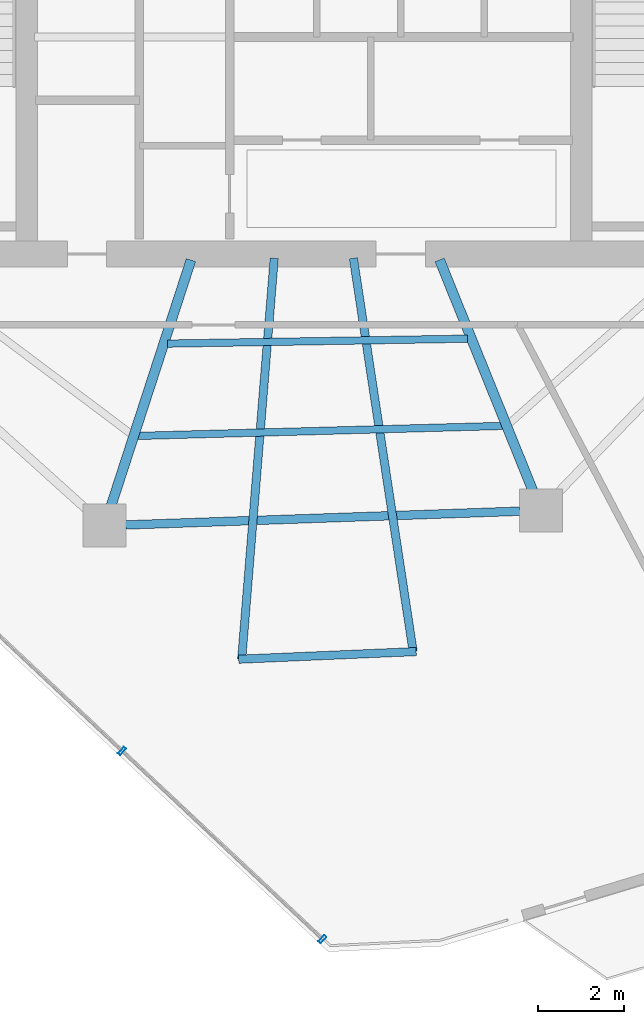
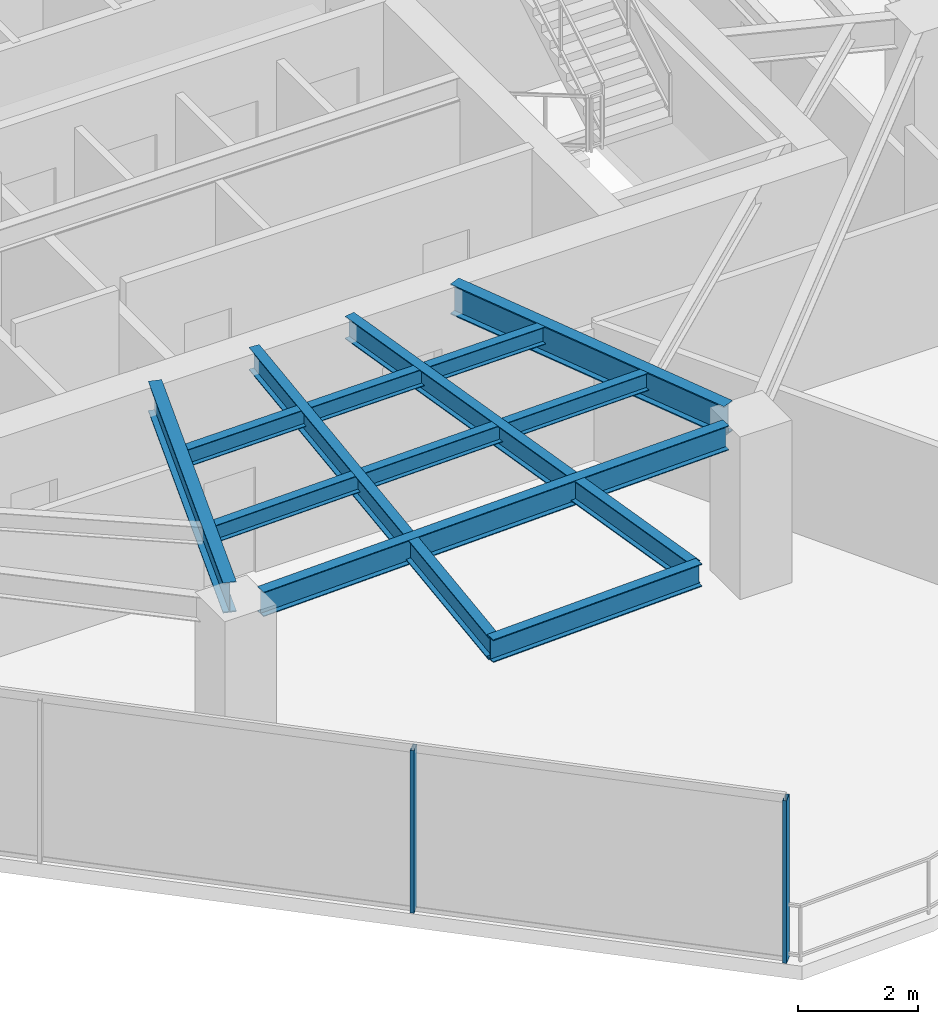
# One storey, part 5 of 19: 8 beams, 2 members, 1 element without a shape of its own.
"""IFC4 building model written with IfcOpenShell, lengths in metres."""

from ifc_helpers import new_model, si_unit, direction, frame, origin, origin_2d, place, context, subcontext, project, spatial, hollow_rectangle, i_section, extrude, material, layer, layer_set, material_profile, profile_set, type_object, element, aggregate, save


model = new_model("IFC4")

# Units and contexts
model_context = context("Model", 3, precision=1e-05, world=origin(), true_north=direction((0.0, 1.0)))
body_context = subcontext(model_context, "Body", "Model", "MODEL_VIEW")
ifc_project = project(units=[si_unit("LENGTHUNIT", "METRE"), si_unit("AREAUNIT", "SQUARE_METRE"), si_unit("VOLUMEUNIT", "CUBIC_METRE"), si_unit("PLANEANGLEUNIT", "RADIAN"), si_unit("MASSUNIT", "GRAM", prefix="KILO")], contexts=[model_context])

# Site, building, storey
site_placement = place(None, origin())
site = spatial("IfcSite", under=ifc_project, at=site_placement, CompositionType="ELEMENT")
building_placement = place(site_placement, origin())
building = spatial("IfcBuilding", under=site, at=building_placement, Name="Qarnah Convention Tower", CompositionType="ELEMENT")
storey_placement = place(building_placement, frame((0.0, 0.0, 129.300048828125)))
storey = spatial("IfcBuildingStorey", under=building, at=storey_placement, Name="L34", CompositionType="ELEMENT", Elevation=129.300048828125)

# Beams
ifc_material_1 = material(Name="Structural steel S355JR", Category="steel")
ifc_material_profile_1 = material_profile(ifc_material_1, i_section(OverallWidth=0.19189453125, OverallDepth=0.464111328125, WebThickness=0.010986328125, FlangeThickness=0.01806640625, at=origin_2d()), Name="W460X89")
ifc_profile_set_1 = profile_set([ifc_material_profile_1], Name="Structural steel S355JR")
beam_type_1 = type_object("IfcBeamType", Name="BM-CANT-W460A", PredefinedType="BEAM", material=ifc_profile_set_1)
beam_1_placement = place(storey_placement, frame((38.40087890625, 18.5009765625, 3.087890625), z_axis=(0.150195006727, -0.988656391247, 0.0), x_axis=(0.988656391247, 0.150195006727, 0.0)))
element("IfcBeam", 1, at=beam_1_placement, inside=storey, type_object=beam_type_1, Name="L34 beam BM-L34-CNT-03-1", PredefinedType="BEAM", context=body_context, shape_type="SweptSolid", body=[
    extrude(i_section(OverallWidth=0.19189453125, OverallDepth=0.464111328125, WebThickness=0.010986328125, FlangeThickness=0.01806640625, at=origin_2d()), origin(), (0.0, 0.0, 1.0), 9.261962890625),
])
beam_2_placement = place(storey_placement, frame((36.55810546875, 18.5, 3.087890625), z_axis=(-0.080897121946, -0.996722456685, 0.0), x_axis=(0.996722456685, -0.080897121946, 0.0)))
element("IfcBeam", 2, at=beam_2_placement, inside=storey, type_object=beam_type_1, Name="L34 beam BM-L34-CNT-03-2", PredefinedType="BEAM", context=body_context, shape_type="SweptSolid", body=[
    extrude(i_section(OverallWidth=0.19189453125, OverallDepth=0.464111328125, WebThickness=0.010986328125, FlangeThickness=0.01806640625, at=origin_2d()), origin(), (0.0, 0.0, 1.0), 9.358642578125),
])
beam_3_placement = place(storey_placement, frame((39.862060546875, 9.346923828125, 3.087890625), z_axis=(-0.999073236436, -0.043042632785, 0.0), x_axis=(0.043042632785, -0.999073236436, 0.0)))
element("IfcBeam", 3, at=beam_3_placement, inside=storey, type_object=beam_type_1, Name="L34 spandrel BM-L34-CTIE-03", PredefinedType="SPANDREL", context=body_context, shape_type="SweptSolid", body=[
    extrude(i_section(OverallWidth=0.19189453125, OverallDepth=0.464111328125, WebThickness=0.010986328125, FlangeThickness=0.01806640625, at=origin_2d()), origin(), (0.0, 0.0, 1.0), 4.135009765625),
])
ifc_material_profile_2 = material_profile(ifc_material_1, i_section(OverallWidth=0.172119140625, OverallDepth=0.35595703125, WebThickness=0.007080078125, FlangeThickness=0.011962890625, at=origin_2d()), Name="W360X51")
ifc_profile_set_2 = profile_set([ifc_material_profile_2], Name="Structural steel S355JR")
beam_type_2 = type_object("IfcBeamType", Name="BM-JST-W360", PredefinedType="JOIST", material=ifc_profile_set_2)
beam_4_placement = place(storey_placement, frame((33.37890625, 14.365966796875, 3.141845703125), z_axis=(0.999623839225, 0.027425901128, 0.0), x_axis=(-0.027425901128, 0.999623839225, 0.0)))
element("IfcBeam", 4, at=beam_4_placement, inside=storey, type_object=beam_type_2, Name="L34 joist BM-L34-SJST-07", PredefinedType="JOIST", context=body_context, shape_type="SweptSolid", body=[
    extrude(i_section(OverallWidth=0.172119140625, OverallDepth=0.35595703125, WebThickness=0.007080078125, FlangeThickness=0.011962890625, at=origin_2d()), origin(), (0.0, 0.0, 1.0), 8.501220703125),
])
beam_5_placement = place(storey_placement, frame((34.077880859375, 16.513916015625, 3.141845703125), z_axis=(0.999864288508, 0.016474360872, 0.0), x_axis=(-0.016474360872, 0.999864288508, 0.0)))
element("IfcBeam", 5, at=beam_5_placement, inside=storey, type_object=beam_type_2, Name="L34 joist BM-L34-IJST-07", PredefinedType="JOIST", context=body_context, shape_type="SweptSolid", body=[
    extrude(i_section(OverallWidth=0.172119140625, OverallDepth=0.35595703125, WebThickness=0.007080078125, FlangeThickness=0.011962890625, at=origin_2d()), origin(), (0.0, 0.0, 1.0), 6.97998046875),
])
ifc_material_profile_3 = material_profile(ifc_material_1, i_section(OverallWidth=0.22998046875, OverallDepth=0.617919921875, WebThickness=0.012939453125, FlangeThickness=0.02197265625, at=origin_2d()), Name="W610X140")
ifc_profile_set_3 = profile_set([ifc_material_profile_3], Name="Structural steel S355JR")
beam_type_3 = type_object("IfcBeamType", Name="BM-RAD-W610A", PredefinedType="BEAM", material=ifc_profile_set_3)
beam_6_placement = place(storey_placement, frame((34.6201171875, 18.45703125, 3.010986328125), z_axis=(-0.30919796314, -0.950997696942, 0.0), x_axis=(0.950997696942, -0.30919796314, 0.0)))
element("IfcBeam", 6, at=beam_6_placement, inside=storey, type_object=beam_type_3, Name="L34 beam BM-L34-RAD-07", PredefinedType="BEAM", context=body_context, shape_type="SweptSolid", body=[
    extrude(i_section(OverallWidth=0.22998046875, OverallDepth=0.617919921875, WebThickness=0.012939453125, FlangeThickness=0.02197265625, at=origin_2d()), origin(), (0.0, 0.0, 1.0), 6.01904296875),
])
beam_7_placement = place(storey_placement, frame((40.406982421875, 18.4609375, 3.010986328125), z_axis=(0.374656949885, -0.927163507642, 0.0), x_axis=(0.927163507642, 0.374656949885, 0.0)))
element("IfcBeam", 7, at=beam_7_placement, inside=storey, type_object=beam_type_3, Name="L34 beam BM-L34-RAD-08", PredefinedType="BEAM", context=body_context, shape_type="SweptSolid", body=[
    extrude(i_section(OverallWidth=0.22998046875, OverallDepth=0.617919921875, WebThickness=0.012939453125, FlangeThickness=0.02197265625, at=origin_2d()), origin(), (0.0, 0.0, 1.0), 5.80810546875),
])
ifc_material_profile_4 = material_profile(ifc_material_1, i_section(OverallWidth=0.199951171875, OverallDepth=0.5, WebThickness=0.010009765625, FlangeThickness=0.01611328125, at=origin_2d()), Name="IPE500")
ifc_profile_set_4 = profile_set([ifc_material_profile_4], Name="Structural steel S355JR")
beam_type_4 = type_object("IfcBeamType", Name="BM-SPN-IPE500", PredefinedType="SPANDREL", material=ifc_profile_set_4)
beam_8_placement = place(storey_placement, frame((33.10107421875, 12.2939453125, 3.070068359375), z_axis=(0.999391665003, 0.034875491717, 0.0), x_axis=(-0.034875491717, 0.999391665003, 0.0)))
element("IfcBeam", 8, at=beam_8_placement, inside=storey, type_object=beam_type_4, Name="L34 spandrel BM-L34-SPN-07", PredefinedType="SPANDREL", context=body_context, shape_type="SweptSolid", body=[
    extrude(i_section(OverallWidth=0.199951171875, OverallDepth=0.5, WebThickness=0.010009765625, FlangeThickness=0.01611328125, at=origin_2d()), origin(), (0.0, 0.0, 1.0), 9.177490234375),
])

# Curtain wall, members
ifc_material_2 = material(Name="Tempered Low-E dark glass", Category="glass")
ifc_layer = layer(ifc_material_2, 0.172119140625)
ifc_layer_set = layer_set([ifc_layer], Name="Tempered Low-E dark glass")
curtain_wall_type = type_object("IfcCurtainWallType", Name="CWS-03", PredefinedType="NOTDEFINED", material=ifc_layer_set)
curtain_wall_placement = place(storey_placement, origin())
curtain_wall = element("IfcCurtainWall", 9, at=curtain_wall_placement, inside=storey, type_object=curtain_wall_type, Name="L34 unitised curtain wall CW-L34-F1", PredefinedType="NOTDEFINED")
ifc_material_3 = material(Name="Black anodised aluminium", Category="aluminium")
ifc_material_profile_5 = material_profile(ifc_material_3, hollow_rectangle(XDim=0.070068359375, YDim=0.199951171875, WallThickness=0.0048828125, at=origin_2d()), Name="MUL-70X200")
ifc_profile_set_5 = profile_set([ifc_material_profile_5], Name="Black anodised aluminium")
member_type = type_object("IfcMemberType", Name="MUL-T3", PredefinedType="MULLION", material=ifc_profile_set_5)
member_1_placement = place(storey_placement, frame((37.679931640625, 2.654052734375, 0.0), z_axis=(0.0, 0.0, 1.0), x_axis=(-0.728967659665, 0.684548136483, 0.0)))
member_1 = element("IfcMember", 10, at=member_1_placement, type_object=member_type, Name="CW-L34-F1 mullion 1", PredefinedType="MULLION", context=body_context, shape_type="SweptSolid", body=[
    extrude(hollow_rectangle(XDim=0.070068359375, YDim=0.199951171875, WallThickness=0.0048828125, at=origin_2d()), origin(), (0.0, 0.0, 1.0), 3.320068359375),
])
member_2_placement = place(storey_placement, frame((33.01611328125, 7.03369140625, 0.0), z_axis=(0.0, 0.0, 1.0), x_axis=(-0.728967659665, 0.684548136483, 0.0)))
member_2 = element("IfcMember", 11, at=member_2_placement, type_object=member_type, Name="CW-L34-F1 mullion 2", PredefinedType="MULLION", context=body_context, shape_type="SweptSolid", body=[
    extrude(hollow_rectangle(XDim=0.070068359375, YDim=0.199951171875, WallThickness=0.0048828125, at=origin_2d()), origin(), (0.0, 0.0, 1.0), 3.320068359375),
])
aggregate(curtain_wall, [member_1, member_2])

save(model, "model.ifc")
